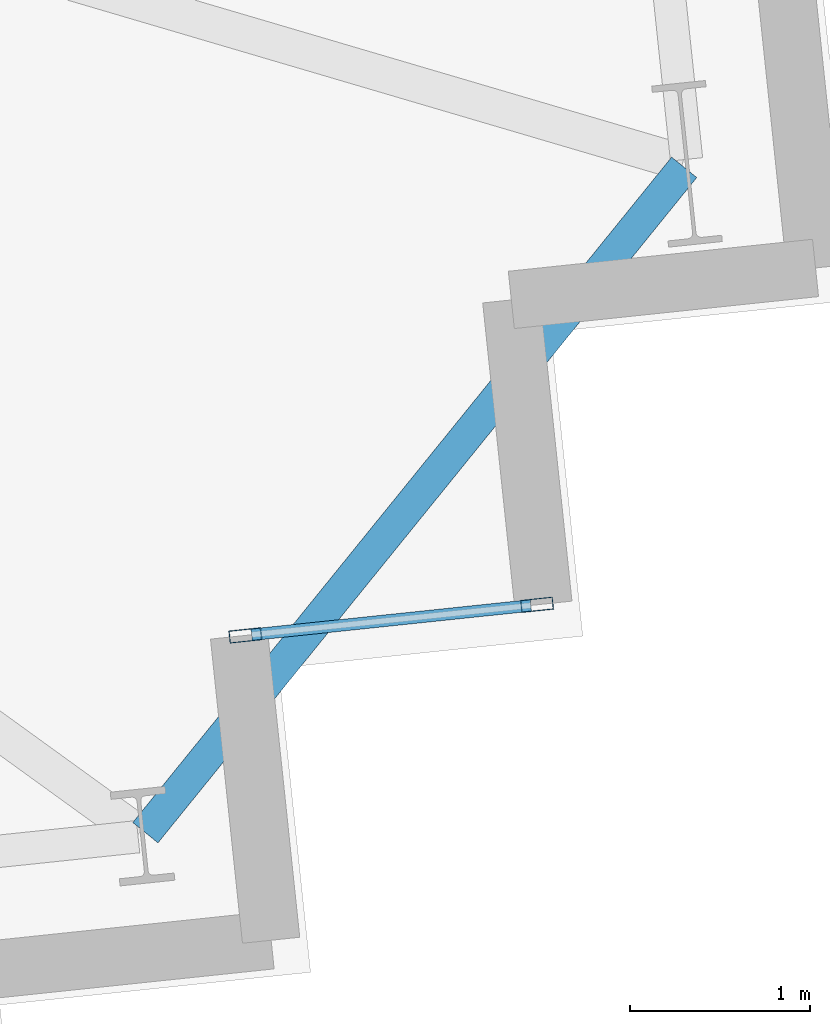
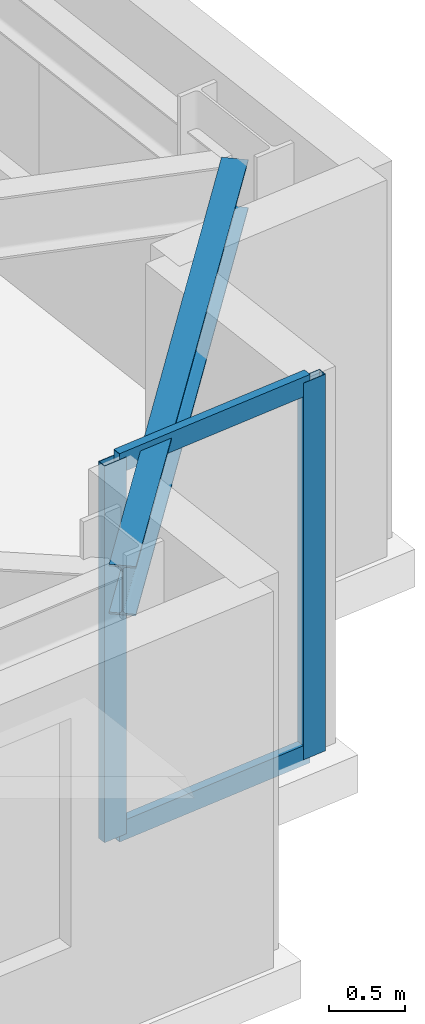
# One storey, part 6 of 18: 4 members, 1 beam, 1 element without a shape of its own.
"""IFC4 building model written with IfcOpenShell, lengths in metres."""

from ifc_helpers import new_model, si_unit, direction, frame, origin, origin_2d, place, context, subcontext, project, spatial, hollow_rectangle, i_section, extrude, material, layer, layer_set, material_profile, profile_set, type_object, element, aggregate, save


model = new_model("IFC4")

# Units and contexts
model_context = context("Model", 3, precision=1e-05, world=origin(), true_north=direction((0.0, 1.0)))
body_context = subcontext(model_context, "Body", "Model", "MODEL_VIEW")
ifc_project = project(units=[si_unit("LENGTHUNIT", "METRE"), si_unit("AREAUNIT", "SQUARE_METRE"), si_unit("VOLUMEUNIT", "CUBIC_METRE"), si_unit("PLANEANGLEUNIT", "RADIAN"), si_unit("MASSUNIT", "GRAM", prefix="KILO")], contexts=[model_context])

# Site, building, storey
site_placement = place(None, origin())
site = spatial("IfcSite", under=ifc_project, at=site_placement, CompositionType="ELEMENT")
building_placement = place(site_placement, origin())
building = spatial("IfcBuilding", under=site, at=building_placement, Name="Qobustan Lattice House", CompositionType="ELEMENT")
storey_placement = place(building_placement, frame((0.0, 0.0, 92.39990234375)))
storey = spatial("IfcBuildingStorey", under=building, at=storey_placement, Name="L25", CompositionType="ELEMENT", Elevation=92.39990234375)

# Beam
ifc_material_1 = material(Name="Steel S355", Category="steel")
ifc_material_profile_1 = material_profile(ifc_material_1, i_section(OverallWidth=0.179931640625, OverallDepth=0.39990234375, WebThickness=0.008544921875, FlangeThickness=0.013427734375, FilletRadius=0.02099609375, at=origin_2d()), Name="IPE400")
ifc_profile_set_1 = profile_set([ifc_material_profile_1], Name="Steel S355")
beam_type = type_object("IfcBeamType", Name="BM-SPD-IPE400", PredefinedType="SPANDREL", material=ifc_profile_set_1)
beam_placement = place(storey_placement, frame((29.608642578125, -13.3876953125, 2.84521484375), z_axis=(0.629351720588, 0.777120590252, 0.0), x_axis=(-0.777120590252, 0.629351720588, 0.0)))
element("IfcBeam", 1, at=beam_placement, inside=storey, type_object=beam_type, Name="L25 perimeter spandrel S7-E1", PredefinedType="SPANDREL", context=body_context, shape_type="SweptSolid", body=[
    extrude(i_section(OverallWidth=0.179931640625, OverallDepth=0.39990234375, WebThickness=0.008544921875, FlangeThickness=0.013427734375, FilletRadius=0.02099609375, at=origin_2d()), origin(), (0.0, 0.0, 1.0), 4.75830078125),
])

# Curtain wall, members
ifc_material_2 = material(Name="Anodised aluminium and low-E glazing", Category="aluminium")
ifc_layer = layer(ifc_material_2, 0.219970703125)
ifc_layer_set = layer_set([ifc_layer], Name="Anodised aluminium and low-E glazing")
curtain_wall_type = type_object("IfcCurtainWallType", Name="CW-FAC-01", PredefinedType="USERDEFINED", material=ifc_layer_set)
curtain_wall_placement = place(storey_placement, origin())
curtain_wall = element("IfcCurtainWall", 2, at=curtain_wall_placement, inside=storey, type_object=curtain_wall_type, Name="L25 serrated corner faceted glazing 18", ObjectType="CURTAIN WALL", PredefinedType="USERDEFINED")
ifc_material_3 = material(Name="Anodised aluminium EN AW-6063 T6", Category="aluminium")
ifc_material_profile_2 = material_profile(ifc_material_3, hollow_rectangle(XDim=0.070068359375, YDim=0.179931640625, WallThickness=0.00439453125, at=origin_2d()), Name="CWM-180x70")
ifc_profile_set_2 = profile_set([ifc_material_profile_2], Name="Anodised aluminium EN AW-6063 T6")
member_type_1 = type_object("IfcMemberType", Name="CWM-STD-180", PredefinedType="MULLION", material=ifc_profile_set_2)
member_1_placement = place(storey_placement, frame((31.785400390625, -12.12109375, 0.0), z_axis=(0.0, 0.0, 1.0), x_axis=(0.104528620025, -0.994521878892, 0.0)))
member_1 = element("IfcMember", 3, at=member_1_placement, type_object=member_type_1, Name="CW-F1 mullion 1", PredefinedType="MULLION", context=body_context, shape_type="SweptSolid", body=[
    extrude(hollow_rectangle(XDim=0.070068359375, YDim=0.179931640625, WallThickness=0.00439453125, at=origin_2d()), origin(), (0.0, 0.0, 1.0), 3.045166015625),
])
member_2_placement = place(storey_placement, frame((30.164306640625, -12.29150390625, 0.0), z_axis=(0.0, 0.0, 1.0), x_axis=(0.104528620025, -0.994521878892, 0.0)))
member_2 = element("IfcMember", 4, at=member_2_placement, type_object=member_type_1, Name="CW-F1 mullion 2", PredefinedType="MULLION", context=body_context, shape_type="SweptSolid", body=[
    extrude(hollow_rectangle(XDim=0.070068359375, YDim=0.179931640625, WallThickness=0.00439453125, at=origin_2d()), origin(), (0.0, 0.0, 1.0), 3.045166015625),
])
ifc_material_4 = material(Name="Anodised aluminium EN AW-6063 T6", Category="aluminium")
ifc_material_profile_3 = material_profile(ifc_material_4, hollow_rectangle(XDim=0.06494140625, YDim=0.159912109375, WallThickness=0.00390625, at=origin_2d()), Name="CWT-160x65")
ifc_profile_set_3 = profile_set([ifc_material_profile_3], Name="Anodised aluminium EN AW-6063 T6")
member_type_2 = type_object("IfcMemberType", Name="CWT-HOR-160", PredefinedType="USERDEFINED", material=ifc_profile_set_3)
member_3_placement = place(storey_placement, frame((31.750732421875, -12.124755859375, 0.03271484375), z_axis=(-0.994520877159, -0.104538150424, 0.0), x_axis=(0.104538150424, -0.994520877159, 0.0)))
member_3 = element("IfcMember", 5, at=member_3_placement, type_object=member_type_2, Name="CW-F1 transom 1.1", ObjectType="TRANSOM", PredefinedType="USERDEFINED", context=body_context, shape_type="SweptSolid", body=[
    extrude(hollow_rectangle(XDim=0.06494140625, YDim=0.159912109375, WallThickness=0.00390625, at=origin_2d()), origin(), (0.0, 0.0, 1.0), 1.56005859375),
])
member_4_placement = place(storey_placement, frame((31.750732421875, -12.124755859375, 3.0126953125), z_axis=(-0.994520877159, -0.104538150424, 0.0), x_axis=(0.104538150424, -0.994520877159, 0.0)))
member_4 = element("IfcMember", 6, at=member_4_placement, type_object=member_type_2, Name="CW-F1 transom 1.2", ObjectType="TRANSOM", PredefinedType="USERDEFINED", context=body_context, shape_type="SweptSolid", body=[
    extrude(hollow_rectangle(XDim=0.06494140625, YDim=0.159912109375, WallThickness=0.00390625, at=origin_2d()), origin(), (0.0, 0.0, 1.0), 1.56005859375),
])
aggregate(curtain_wall, [member_1, member_2, member_3, member_4])

save(model, "model.ifc")
